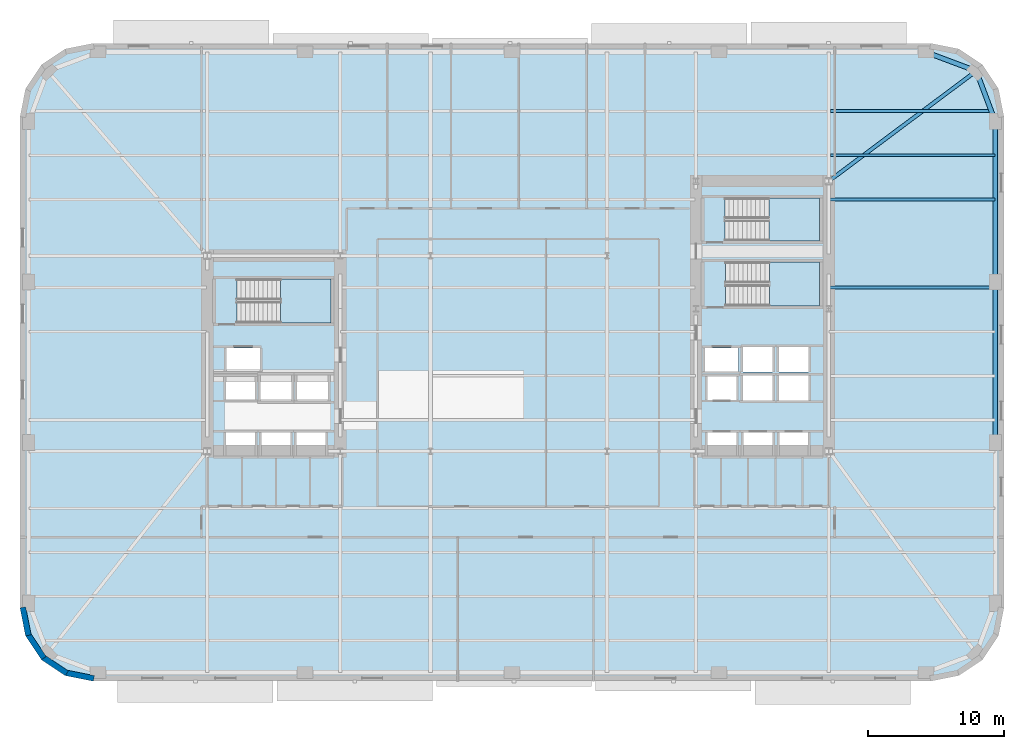
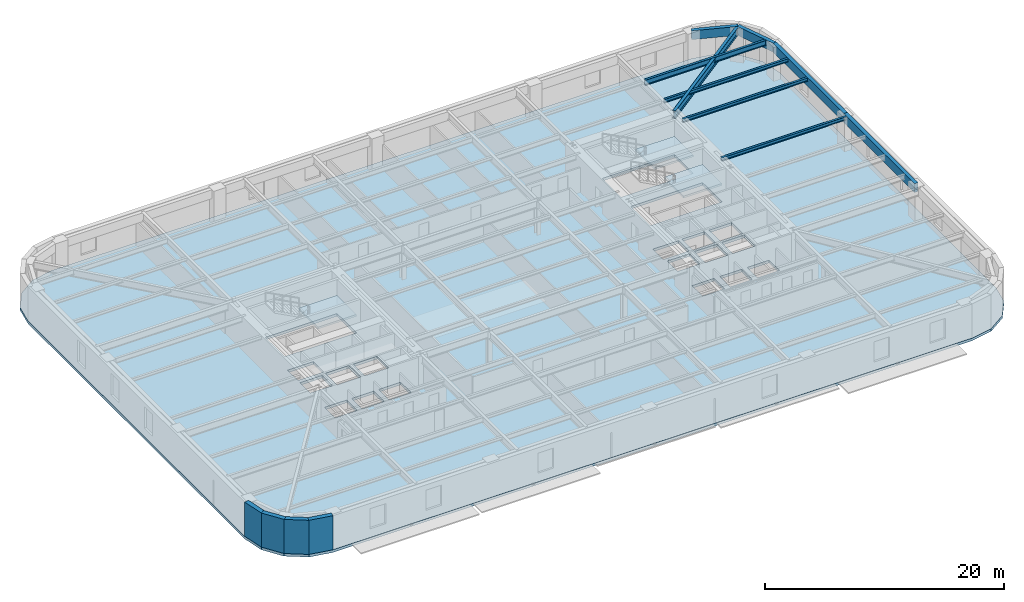
# One storey, part 3 of 15: 9 beams, 4 slabs, 4 walls, 3 elements without a shape of their own.
"""IFC4 building model written with IfcOpenShell, lengths in metres."""

from ifc_helpers import new_model, si_unit, direction, frame, frame_2d, origin, origin_2d, place, context, subcontext, project, spatial, polyline, rectangle, hollow_rectangle, i_section, outline, extrude, material, layer, layer_set, material_profile, profile_set, type_object, element, aggregate, save


model = new_model("IFC4")

# Units and contexts
model_context = context("Model", 3, precision=1e-05, world=origin(), true_north=direction((0.0, 1.0)))
body_context = subcontext(model_context, "Body", "Model", "MODEL_VIEW")
ifc_project = project(units=[si_unit("LENGTHUNIT", "METRE"), si_unit("AREAUNIT", "SQUARE_METRE"), si_unit("VOLUMEUNIT", "CUBIC_METRE"), si_unit("PLANEANGLEUNIT", "RADIAN"), si_unit("MASSUNIT", "GRAM", prefix="KILO")], contexts=[model_context])

# Site, building, storey
site_placement = place(None, origin())
site = spatial("IfcSite", under=ifc_project, at=site_placement, CompositionType="ELEMENT")
building_placement = place(site_placement, origin())
building = spatial("IfcBuilding", under=site, at=building_placement, Name="Kolvaren Arena Tower", CompositionType="ELEMENT")
storey_placement = place(building_placement, frame((0.0, 0.0, 68.25)))
storey = spatial("IfcBuildingStorey", under=building, at=storey_placement, Name="L14", CompositionType="ELEMENT", Elevation=68.25)

# Beams
ifc_material_1 = material(Name="Steel CSA G40.21 350W", Category="steel")
ifc_material_profile_1 = material_profile(ifc_material_1, i_section(OverallWidth=0.2119140625, OverallDepth=0.54296875, WebThickness=0.01318359375, FlangeThickness=0.0244140625, FilletRadius=0.013916015625, at=origin_2d()), Name="W530x150")
ifc_profile_set_1 = profile_set([ifc_material_profile_1], Name="Steel CSA G40.21 350W")
beam_type_1 = type_object("IfcBeamType", Name="BEAM-F1", PredefinedType="BEAM", material=ifc_profile_set_1)
beam_1_placement = place(storey_placement, frame((60.485107421875, 44.5, 3.20849609375), z_axis=(1.0, 0.0, 0.0), x_axis=(0.0, 1.0, 0.0)))
element("IfcBeam", 1, at=beam_1_placement, inside=storey, type_object=beam_type_1, Name="Composite Floor Beam (L14)", PredefinedType="BEAM", context=body_context, shape_type="SweptSolid", body=[
    extrude(i_section(OverallWidth=0.2119140625, OverallDepth=0.54296875, WebThickness=0.01318359375, FlangeThickness=0.0244140625, FilletRadius=0.013916015625, at=origin_2d()), origin(), (0.0, 0.0, 1.0), 11.83349609375),
])
ifc_material_profile_2 = material_profile(ifc_material_1, i_section(OverallWidth=0.27001953125, OverallDepth=0.77294921875, WebThickness=0.019287109375, FlangeThickness=0.033447265625, FilletRadius=0.01806640625, at=origin_2d()), Name="W760x257")
ifc_profile_set_2 = profile_set([ifc_material_profile_2], Name="Steel CSA G40.21 350W")
beam_type_2 = type_object("IfcBeamType", Name="GIRD-T1", PredefinedType="BEAM", material=ifc_profile_set_2)
beam_2_placement = place(storey_placement, frame((71.208740234375, 47.458740234375, 3.093505859375), z_axis=(-0.801249936397, -0.598329791523, 0.0), x_axis=(0.598329791523, -0.801249936397, 0.0)))
element("IfcBeam", 2, at=beam_2_placement, inside=storey, type_object=beam_type_2, Name="Corner Diagonal Tie Girder (L14)", PredefinedType="BEAM", context=body_context, shape_type="SweptSolid", body=[
    extrude(i_section(OverallWidth=0.27001953125, OverallDepth=0.77294921875, WebThickness=0.019287109375, FlangeThickness=0.033447265625, FilletRadius=0.01806640625, at=origin_2d()), origin(), (0.0, 0.0, 1.0), 13.55224609375),
])
ifc_material_profile_3 = material_profile(ifc_material_1, i_section(OverallWidth=0.202880859375, OverallDepth=0.346923828125, WebThickness=0.0078125, FlangeThickness=0.013427734375, FilletRadius=0.010986328125, at=origin_2d()), Name="W360x64")
ifc_profile_set_3 = profile_set([ifc_material_profile_3], Name="Steel CSA G40.21 350W")
beam_type_3 = type_object("IfcBeamType", Name="JOIST-01", PredefinedType="JOIST", material=ifc_profile_set_3)
for number, where, z_axis, x_axis, name in (
    (3, (60.3701171875, 31.5, 3.306396484375), (1.0, 0.0, 0.0), (0.0, 1.0, 0.0), "Composite Floor Joist (L14)"),
    (4, (60.3701171875, 38.0, 3.306396484375), (1.0, 0.0, 0.0), (0.0, 1.0, 0.0), "Composite Floor Joist (L14)"),
):
    element("IfcBeam", number, at=place(storey_placement, frame(where, z_axis=z_axis, x_axis=x_axis)), inside=storey, type_object=beam_type_3, Name=name, PredefinedType="JOIST", context=body_context, shape_type="SweptSolid", body=[
        extrude(i_section(OverallWidth=0.202880859375, OverallDepth=0.346923828125, WebThickness=0.0078125, FlangeThickness=0.013427734375, FilletRadius=0.010986328125, at=origin_2d()), origin(), (0.0, 0.0, 1.0), 12.22998046875),
    ])
beam_3_placement = place(storey_placement, frame((60.485107421875, 41.25, 3.306396484375), z_axis=(1.0, 0.0, 0.0), x_axis=(0.0, 1.0, 0.0)))
element("IfcBeam", 5, at=beam_3_placement, inside=storey, type_object=beam_type_3, Name="Composite Floor Joist (L14)", PredefinedType="JOIST", context=body_context, shape_type="SweptSolid", body=[
    extrude(i_section(OverallWidth=0.202880859375, OverallDepth=0.346923828125, WebThickness=0.0078125, FlangeThickness=0.013427734375, FilletRadius=0.010986328125, at=origin_2d()), origin(), (0.0, 0.0, 1.0), 12.114990234375),
])
ifc_material_2 = material(Name="Steel CSA G40.21 350WT", Category="steel")
ifc_material_profile_4 = material_profile(ifc_material_2, hollow_rectangle(XDim=0.35009765625, YDim=0.89990234375, WallThickness=0.02001953125, at=origin_2d()), Name="HSS 900x350x20")
ifc_profile_set_4 = profile_set([ifc_material_profile_4], Name="Steel CSA G40.21 350WT")
beam_type_4 = type_object("IfcBeamType", Name="SPAND-01", PredefinedType="SPANDREL", material=ifc_profile_set_4)
beam_4_placement = place(storey_placement, frame((72.60009765625, 20.083251953125, 3.030029296875), z_axis=(0.0, 1.0, 0.0), x_axis=(-1.0, 0.0, 0.0)))
element("IfcBeam", 6, at=beam_4_placement, inside=storey, type_object=beam_type_4, Name="Perimeter Spandrel Beam (L14)", PredefinedType="SPANDREL", context=body_context, shape_type="SweptSolid", body=[
    extrude(hollow_rectangle(XDim=0.35009765625, YDim=0.89990234375, WallThickness=0.02001953125, at=origin_2d()), origin(), (0.0, 0.0, 1.0), 11.83349609375),
])
beam_5_placement = place(storey_placement, frame((72.60009765625, 31.916748046875, 3.030029296875), z_axis=(0.0, 1.0, 0.0), x_axis=(-1.0, 0.0, 0.0)))
element("IfcBeam", 7, at=beam_5_placement, inside=storey, type_object=beam_type_4, Name="Perimeter Spandrel Beam (L14)", PredefinedType="SPANDREL", context=body_context, shape_type="SweptSolid", body=[
    extrude(hollow_rectangle(XDim=0.35009765625, YDim=0.89990234375, WallThickness=0.02001953125, at=origin_2d()), origin(), (0.0, 0.0, 1.0), 11.833251953125),
])
for number, where, z_axis, x_axis, name in (
    (8, (72.60009765625, 43.75, 3.030029296875), (-0.351251771955, 0.93628104365, 0.0), (-0.93628104365, -0.351251771955, 0.0), "Perimeter Spandrel Beam (L14)"),
    (9, (71.208740234375, 47.458740234375, 3.030029296875), (-0.93628104365, 0.351251771955, 0.0), (-0.351251771955, -0.93628104365, 0.0), "Perimeter Spandrel Beam (L14)"),
):
    element("IfcBeam", number, at=place(storey_placement, frame(where, z_axis=z_axis, x_axis=x_axis)), inside=storey, type_object=beam_type_4, Name=name, PredefinedType="SPANDREL", context=body_context, shape_type="SweptSolid", body=[
        extrude(hollow_rectangle(XDim=0.35009765625, YDim=0.89990234375, WallThickness=0.02001953125, at=origin_2d()), origin(), (0.0, 0.0, 1.0), 3.961181640625),
    ])

# Stair, slab
ifc_material_3 = material(Name="Concrete 45 MPa", Category="concrete")
stair_type_1 = type_object("IfcStairType", Name="STAIR-CORE-165", PredefinedType="HALF_TURN_STAIR", material=ifc_material_3)
stair_1_placement = place(storey_placement, origin())
stair_1 = element("IfcStair", 10, at=stair_1_placement, inside=storey, type_object=stair_type_1, Name="L14 ST-W1", PredefinedType="HALF_TURN_STAIR")
ifc_layer_1 = layer(ifc_material_3, 0.199951171875)
ifc_layer_set_1 = layer_set([ifc_layer_1], Name="Concrete 45 MPa")
slab_type_1 = type_object("IfcSlabType", Name="SLAB-LAND", PredefinedType="LANDING", material=ifc_layer_set_1)
slab_1_placement = place(storey_placement, frame((0.0, 0.0, 1.675048828125)))
slab_1 = element("IfcSlab", 11, at=slab_1_placement, type_object=slab_type_1, Name="ST-W1 landing 1", PredefinedType="LANDING", context=body_context, shape_type="SweptSolid", body=[
    extrude(outline(polyline([(19.9599609375, 28.89990234375), (23.659912109375, 28.89990234375), (23.659912109375, 32.1298828125), (19.9599609375, 32.1298828125), (19.9599609375, 28.89990234375)])), origin(), (0.0, 0.0, 1.0), 0.199951171875),
])
aggregate(stair_1, [slab_1])

stair_2_placement = place(storey_placement, origin())
stair_2 = element("IfcStair", 12, at=stair_2_placement, inside=storey, type_object=stair_type_1, Name="L14 ST-E1", PredefinedType="HALF_TURN_STAIR")
slab_2_placement = place(storey_placement, frame((0.0, 0.0, 1.675048828125)))
slab_2 = element("IfcSlab", 13, at=slab_2_placement, type_object=slab_type_1, Name="ST-E1 landing 1", PredefinedType="LANDING", context=body_context, shape_type="SweptSolid", body=[
    extrude(outline(polyline([(55.9599609375, 30.14990234375), (59.659912109375, 30.14990234375), (59.659912109375, 33.3798828125), (55.9599609375, 33.3798828125), (55.9599609375, 30.14990234375)])), origin(), (0.0, 0.0, 1.0), 0.199951171875),
])
aggregate(stair_2, [slab_2])

stair_type_2 = type_object("IfcStairType", Name="STAIR-CORE-150", PredefinedType="HALF_TURN_STAIR", material=ifc_material_3)
stair_3_placement = place(storey_placement, origin())
stair_3 = element("IfcStair", 14, at=stair_3_placement, inside=storey, type_object=stair_type_2, Name="L14 ST-E2", PredefinedType="HALF_TURN_STAIR")
slab_3_placement = place(storey_placement, frame((0.0, 0.0, 1.675048828125)))
slab_3 = element("IfcSlab", 15, at=slab_3_placement, type_object=slab_type_1, Name="ST-E2 landing 1", PredefinedType="LANDING", context=body_context, shape_type="SweptSolid", body=[
    extrude(outline(polyline([(55.919921875, 34.949951171875), (59.659912109375, 34.949951171875), (59.659912109375, 38.10009765625), (55.919921875, 38.10009765625), (55.919921875, 34.949951171875)])), origin(), (0.0, 0.0, 1.0), 0.199951171875),
])
aggregate(stair_3, [slab_3])

# Slab
ifc_layer_2 = layer(ifc_material_3, 0.27001953125)
ifc_layer_set_2 = layer_set([ifc_layer_2], Name="Concrete 45 MPa")
slab_type_2 = type_object("IfcSlabType", Name="SLAB-OFF2", PredefinedType="FLOOR", material=ifc_layer_set_2)
slab_4_placement = place(storey_placement, frame((0.0, 0.0, -0.27001953125)))
element("IfcSlab", 16, at=slab_4_placement, inside=storey, type_object=slab_type_2, Name="L14 Primary Structural Slab", PredefinedType="FLOOR", context=body_context, shape_type="SweptSolid", body=[
    extrude(outline(polyline([(67.85009765625, 2.5), (69.91650390625, 2.9111328125), (71.66845703125, 4.08154296875), (72.8388671875, 5.83349609375), (73.25, 7.89990234375), (73.25, 44.10009765625), (72.8388671875, 46.16650390625), (71.66845703125, 47.91845703125), (69.91650390625, 49.0888671875), (67.85009765625, 49.5), (6.14990234375, 49.5), (4.08349609375, 49.0888671875), (2.33154296875, 47.91845703125), (1.1611328125, 46.16650390625), (0.75, 44.10009765625), (0.75, 7.89990234375), (1.1611328125, 5.83349609375), (2.33154296875, 4.08154296875), (4.08349609375, 2.9111328125), (6.14990234375, 2.5), (67.85009765625, 2.5)]), holes=[polyline([(15.93505859375, 19.0849609375), (15.93505859375, 20.81494140625), (18.06494140625, 20.81494140625), (18.06494140625, 19.0849609375), (15.93505859375, 19.0849609375)]), polyline([(18.534912109375, 19.0849609375), (18.534912109375, 20.81494140625), (20.6650390625, 20.81494140625), (20.6650390625, 19.0849609375), (18.534912109375, 19.0849609375)]), polyline([(21.135009765625, 19.0849609375), (21.135009765625, 20.81494140625), (23.264892578125, 20.81494140625), (23.264892578125, 19.0849609375), (21.135009765625, 19.0849609375)]), polyline([(51.39501953125, 19.0849609375), (51.39501953125, 20.81494140625), (53.52490234375, 20.81494140625), (53.52490234375, 19.0849609375), (51.39501953125, 19.0849609375)]), polyline([(54.054931640625, 19.0849609375), (54.054931640625, 20.81494140625), (56.18505859375, 20.81494140625), (56.18505859375, 19.0849609375), (54.054931640625, 19.0849609375)]), polyline([(56.695068359375, 19.0849609375), (56.695068359375, 20.81494140625), (58.824951171875, 20.81494140625), (58.824951171875, 19.0849609375), (56.695068359375, 19.0849609375)]), polyline([(18.4599609375, 23.135009765625), (18.4599609375, 25.06494140625), (20.739990234375, 25.06494140625), (20.739990234375, 23.135009765625), (18.4599609375, 23.135009765625)]), polyline([(21.159912109375, 23.135009765625), (21.159912109375, 25.06494140625), (23.43994140625, 25.06494140625), (23.43994140625, 23.135009765625), (21.159912109375, 23.135009765625)]), polyline([(54.030029296875, 25.014892578125), (56.2099609375, 25.014892578125), (56.2099609375, 23.18505859375), (54.030029296875, 23.18505859375), (54.030029296875, 25.014892578125)]), polyline([(56.669921875, 25.014892578125), (58.85009765625, 25.014892578125), (58.85009765625, 23.18505859375), (56.669921875, 23.18505859375), (56.669921875, 25.014892578125)]), polyline([(15.93505859375, 23.235107421875), (15.93505859375, 24.965087890625), (18.06494140625, 24.965087890625), (18.06494140625, 23.235107421875), (15.93505859375, 23.235107421875)]), polyline([(51.39501953125, 24.965087890625), (53.52490234375, 24.965087890625), (53.52490234375, 23.235107421875), (51.39501953125, 23.235107421875), (51.39501953125, 24.965087890625)]), polyline([(54.030029296875, 25.284912109375), (54.030029296875, 27.114990234375), (56.2099609375, 27.114990234375), (56.2099609375, 25.284912109375), (54.030029296875, 25.284912109375)]), polyline([(56.669921875, 25.284912109375), (56.669921875, 27.114990234375), (58.85009765625, 27.114990234375), (58.85009765625, 25.284912109375), (56.669921875, 25.284912109375)]), polyline([(15.9599609375, 27.06494140625), (18.43994140625, 27.06494140625), (18.43994140625, 25.3349609375), (15.9599609375, 25.3349609375), (15.9599609375, 27.06494140625)]), polyline([(51.219970703125, 25.3349609375), (51.219970703125, 27.06494140625), (53.699951171875, 27.06494140625), (53.699951171875, 25.3349609375), (51.219970703125, 25.3349609375)]), polyline([(16.735107421875, 28.89990234375), (16.735107421875, 32.1298828125), (23.659912109375, 32.1298828125), (23.659912109375, 28.89990234375), (16.735107421875, 28.89990234375)]), polyline([(52.735107421875, 33.3798828125), (59.659912109375, 33.3798828125), (59.659912109375, 30.14990234375), (52.735107421875, 30.14990234375), (52.735107421875, 33.3798828125)]), polyline([(52.695068359375, 38.10009765625), (59.659912109375, 38.10009765625), (59.659912109375, 34.949951171875), (52.695068359375, 34.949951171875), (52.695068359375, 38.10009765625)])]), origin(), (0.0, 0.0, 1.0), 0.27001953125),
])

# Walls
ifc_material_4 = material(Name="Precast concrete C50/60", Category="concrete")
ifc_layer_3 = layer(ifc_material_4, 0.419921875)
ifc_layer_set_3 = layer_set([ifc_layer_3], Name="Precast concrete C50/60")
wall_type = type_object("IfcWallType", Name="EXT-PIER1", PredefinedType="SOLIDWALL", material=ifc_layer_set_3)
for number, where, z_axis, x_axis, name in (
    (17, (1.3671875, 5.87451171875, 0.0), (0.0, 0.0, 1.0), (-0.195135546048, 0.9807762837, 0.0), "Exterior Precast Masonry-Frame Wall (L14)"),
    (18, (2.506103515625, 4.1982421875, 0.0), (0.0, 0.0, 1.0), (-0.555502146192, 0.831515102434, 0.0), "Exterior Precast Masonry-Frame Wall (L14)"),
    (19, (4.2001953125, 3.085693359375, 0.0), (0.0, 0.0, 1.0), (-0.831515102434, 0.555502146192, 0.0), "Exterior Precast Masonry-Frame Wall (L14)"),
    (20, (6.19091796875, 2.7060546875, 0.0), (0.0, 0.0, 1.0), (-0.9807762837, 0.195135546048, 0.0), "Exterior Precast Masonry-Frame Wall (L14)"),
):
    element("IfcWall", number, at=place(storey_placement, frame(where, z_axis=z_axis, x_axis=x_axis)), inside=storey, type_object=wall_type, Name=name, PredefinedType="SOLIDWALL", context=body_context, shape_type="SweptSolid", body=[
        extrude(rectangle(XDim=2.10693359375, YDim=0.419921875, at=frame_2d((1.053466796875, 0.0))), origin(), (0.0, 0.0, 1.0), 3.47998046875),
    ])

save(model, "model.ifc")
